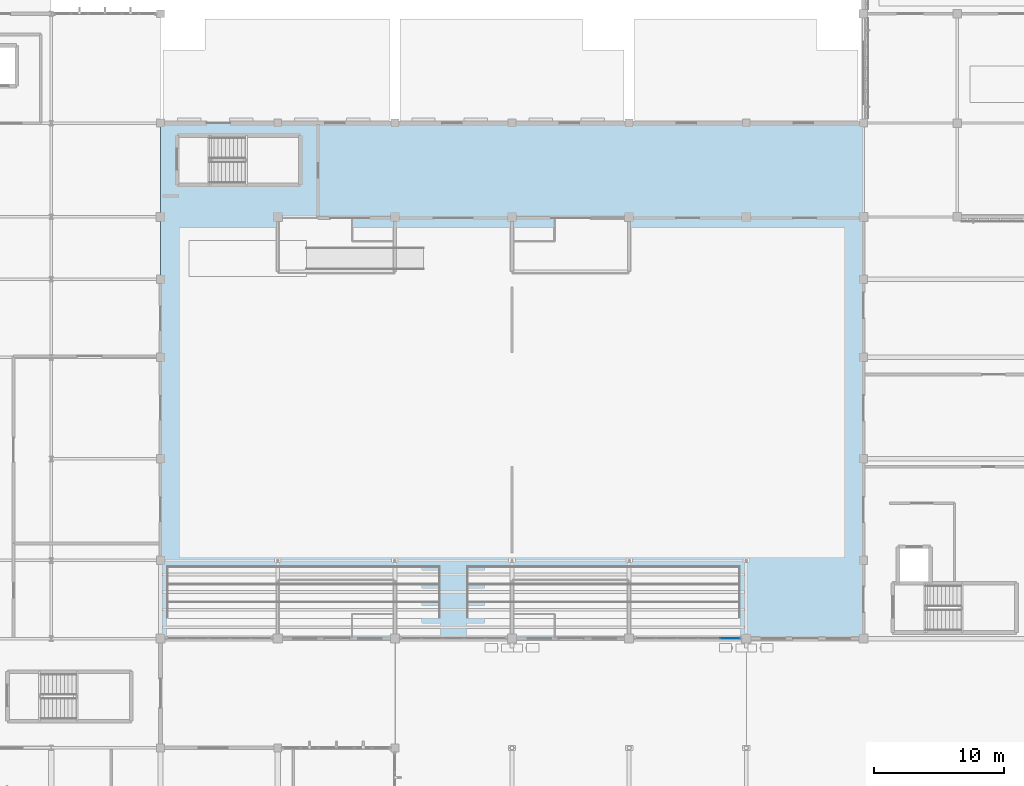
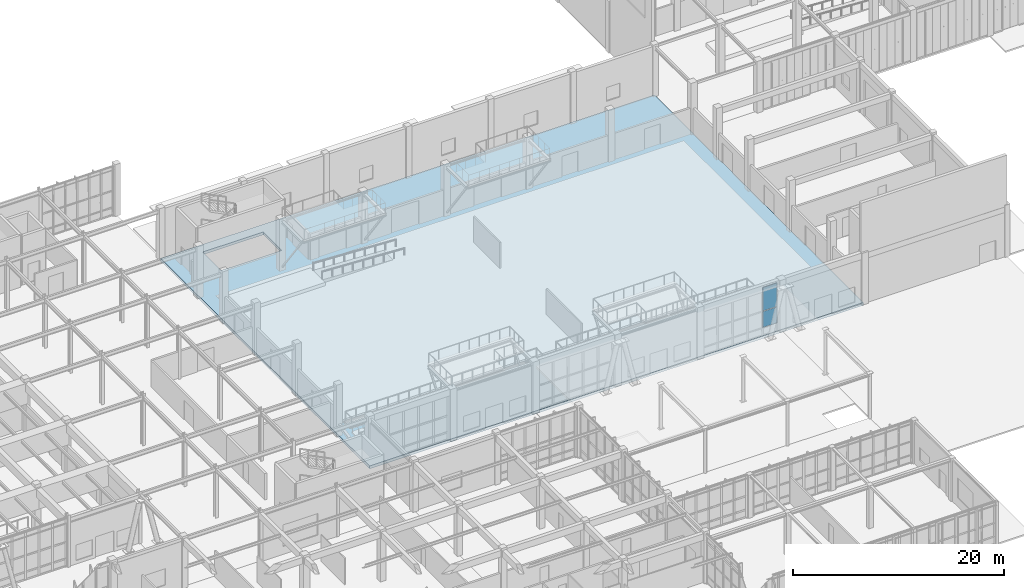
# One storey, part 65 of 110: 2 plates, 1 slab, 1 element without a shape of its own.
"""IFC4 building model written with IfcOpenShell, lengths in metres."""

import ifcopenshell
import ifcopenshell.guid

model = None  # the IFC model being written
_history = None  # IfcOwnerHistory: only IFC2X3 demands one
_inside = {}  # id of a spatial element -> (the spatial element, [elements in it])
_under = {}  # id of a project, library or spatial element -> (it, [spatial elements below it])
_declared = {}  # id of a project -> (the project, [libraries it declares])
_typed = {}  # id of a type object -> (the type object, [elements of that type])
_made_of = {}  # id of a material, layer set ... -> (it, [elements and type objects made of it])


def new_model(schema):
    """Start an empty IFC model of exactly this schema.

    Asked for "IFC4X3", IfcOpenShell would pick the latest addendum, in which some entities
    have other attributes; the version numbers below select the first issue.
    IFC2X3 requires an IfcOwnerHistory on every rooted entity: one is made here for all.
    """
    global model, _history
    if schema == "IFC4X3":
        model = ifcopenshell.file(schema_version=(4, 3, 0, 0))
    else:
        model = ifcopenshell.file(schema=schema)
    _inside.clear()
    _under.clear()
    _declared.clear()
    _typed.clear()
    _made_of.clear()
    _history = None
    if model.schema == "IFC2X3":
        org = make("IfcOrganization", Name="unknown")
        user = make(
            "IfcPersonAndOrganization",
            ThePerson=make("IfcPerson", FamilyName="unknown"),
            TheOrganization=org,
        )
        app = make(
            "IfcApplication",
            ApplicationDeveloper=org,
            Version="unknown",
            ApplicationFullName="unknown",
            ApplicationIdentifier="unknown",
        )
        _history = make(
            "IfcOwnerHistory",
            OwningUser=user,
            OwningApplication=app,
            ChangeAction="ADDED",
            CreationDate=0,
        )
    return model


def make(cls, **values):
    """One entity of the class cls with the attributes given. An attribute that is None is left unset."""
    return model.create_entity(
        cls, **{name: value for name, value in values.items() if value is not None}
    )


def rooted(cls, **values):
    """An entity with a GlobalId (a new one), such as an element, a storey or a relation."""
    return make(cls, GlobalId=ifcopenshell.guid.new(), OwnerHistory=_history, **values)


def si_unit(unit_type, name, prefix=None):
    """IfcSIUnit, for example si_unit("LENGTHUNIT", "METRE", prefix="MILLI")."""
    return make("IfcSIUnit", UnitType=unit_type, Prefix=prefix, Name=name)


def assignment(units):
    """IfcUnitAssignment: the units of a project."""
    return None if units is None else make("IfcUnitAssignment", Units=units)


def point(xyz):
    """IfcCartesianPoint."""
    return None if xyz is None else make("IfcCartesianPoint", Coordinates=xyz)


def direction(xyz):
    """IfcDirection."""
    return None if xyz is None else make("IfcDirection", DirectionRatios=xyz)


def frame(location, z_axis=None, x_axis=None):
    """IfcAxis2Placement3D, a coordinate frame: its origin and axes. An axis left out is left unset."""
    return make(
        "IfcAxis2Placement3D",
        Location=point(location),
        Axis=direction(z_axis),
        RefDirection=direction(x_axis),
    )


def frame_2d(location, x_axis=None):
    """IfcAxis2Placement2D, a coordinate frame in the plane: its origin and x axis."""
    return make(
        "IfcAxis2Placement2D", Location=point(location), RefDirection=direction(x_axis)
    )


def origin():
    """The frame at (0, 0, 0) with its axes left unset."""
    return frame((0.0, 0.0, 0.0))


def origin_2d():
    """The frame at (0, 0) in the plane with its x axis left unset."""
    return frame_2d((0.0, 0.0))


def place(relative_to, where):
    """IfcLocalPlacement: puts the frame where relative to a parent placement (None: the world)."""
    return make(
        "IfcLocalPlacement", PlacementRelTo=relative_to, RelativePlacement=where
    )


def context(
    kind, dimensions, precision=None, world=None, true_north=None, identifier=None
):
    """IfcGeometricRepresentationContext, for example the 3D "Model" context."""
    return make(
        "IfcGeometricRepresentationContext",
        ContextIdentifier=identifier,
        ContextType=kind,
        CoordinateSpaceDimension=dimensions,
        Precision=precision,
        WorldCoordinateSystem=world,
        TrueNorth=true_north,
    )


def subcontext(parent, identifier, kind, view, scale=None):
    """IfcGeometricRepresentationSubContext, for example "Body" below "Model"."""
    return make(
        "IfcGeometricRepresentationSubContext",
        ContextIdentifier=identifier,
        ContextType=kind,
        ParentContext=parent,
        TargetScale=scale,
        TargetView=view,
    )


def project(units=None, contexts=None):
    """IfcProject with its units and contexts."""
    return rooted(
        "IfcProject",
        Name="project",
        RepresentationContexts=contexts,
        UnitsInContext=assignment(units),
    )


def spatial(cls, under=None, at=None, **own):
    """A site, building, storey or space (cls), placed at a placement, below another one or the project."""
    s = rooted(cls, ObjectPlacement=at, **own)
    if under is not None:
        _under.setdefault(under.id(), (under, []))[1].append(s)
    return s


def polyline(points):
    """IfcPolyline through the points."""
    return make("IfcPolyline", Points=[point(p) for p in points])


def profile(cls, at=None, kind="AREA", **sizes):
    """A parametric profile (cls). Its sizes go by their IFC names, for example OverallWidth=200.0."""
    return make(cls, ProfileType=kind, Position=at, **sizes)


def rectangle(**sizes):
    """IfcRectangleProfileDef."""
    return profile("IfcRectangleProfileDef", **sizes)


def outline(outer, holes=None, kind="AREA"):
    """IfcArbitraryClosedProfileDef: a profile drawn as a closed curve; with holes, ...WithVoids."""
    if holes is None:
        return make("IfcArbitraryClosedProfileDef", ProfileType=kind, OuterCurve=outer)
    return make(
        "IfcArbitraryProfileDefWithVoids",
        ProfileType=kind,
        OuterCurve=outer,
        InnerCurves=holes,
    )


def extrude(swept, where, along, depth):
    """IfcExtrudedAreaSolid: the profile swept, set in the frame where, extruded along a direction by depth."""
    return make(
        "IfcExtrudedAreaSolid",
        SweptArea=swept,
        Position=where,
        ExtrudedDirection=direction(along),
        Depth=depth,
    )


def shape(context_of_items, identifier, shape_type, items):
    """IfcShapeRepresentation: the items that make up one representation, for example the "Body"."""
    return make(
        "IfcShapeRepresentation",
        ContextOfItems=context_of_items,
        RepresentationIdentifier=identifier,
        RepresentationType=shape_type,
        Items=items,
    )


def material(Name=None, Category=None):
    """IfcMaterial."""
    return make("IfcMaterial", Name=Name, Category=Category)


def layer(
    of_material, thickness, ventilated=None, Name=None, Category=None, Priority=None
):
    """IfcMaterialLayer: one layer of a wall or slab, of a material (None: an air gap)."""
    return make(
        "IfcMaterialLayer",
        Material=of_material,
        LayerThickness=thickness,
        IsVentilated=ventilated,
        Name=Name,
        Category=Category,
        Priority=Priority,
    )


def layer_set(layers, Name=None):
    """IfcMaterialLayerSet."""
    return make("IfcMaterialLayerSet", MaterialLayers=layers, LayerSetName=Name)


def made_of(thing, what):
    """Note that an element or type object is made of a material, layer set ...; save() writes the relation."""
    if what is not None:
        _made_of.setdefault(what.id(), (what, []))[1].append(thing)
    return thing


def type_object(cls, material=None, **own):
    """A type object (cls), such as IfcWallType, which elements share."""
    return made_of(rooted(cls, **own), material)


def element(
    cls,
    number,
    at=None,
    inside=None,
    cuts=None,
    type_object=None,
    material=None,
    context=None,
    identifier="Body",
    shape_type=None,
    held_by="IfcProductDefinitionShape",
    body=None,
    shapes=None,
    **own,
):
    """One element of the class cls, such as IfcWall. Its Tag is "e" and its number.

    at: its placement. inside: the storey or other place that contains it. cuts: it is an
    opening in that element (IfcRelVoidsElement). A single representation is given by context,
    identifier, shape_type and body (its items); several are given by shapes. held_by: the class
    of the entity that holds the representations. save() writes the other relations.
    """
    e = rooted(cls, Tag="e%d" % number, ObjectPlacement=at, **own)
    if body is not None:
        shapes = [shape(context, identifier, shape_type, body)]
    if shapes is not None:
        e.Representation = make(held_by, Representations=shapes)
    if inside is not None:
        _inside.setdefault(inside.id(), (inside, []))[1].append(e)
    if cuts is not None:
        rooted(
            "IfcRelVoidsElement", RelatingBuildingElement=cuts, RelatedOpeningElement=e
        )
    if type_object is not None:
        _typed.setdefault(type_object.id(), (type_object, []))[1].append(e)
    return made_of(e, material)


def aggregate(whole, parts):
    """IfcRelAggregates: a whole, such as a stair, and the parts it consists of."""
    return rooted("IfcRelAggregates", RelatingObject=whole, RelatedObjects=parts)


def save(model, path):
    """Write the relations noted so far, then the file.

    IfcRelAggregates (storeys below a building ...), IfcRelContainedInSpatialStructure (elements
    in a storey), IfcRelDefinesByType, IfcRelAssociatesMaterial and IfcRelDeclares: one each for
    every whole, place, type object, material and project.
    """
    for whole, parts in _under.values():
        aggregate(whole, parts)
    for where, things in _inside.values():
        rooted(
            "IfcRelContainedInSpatialStructure",
            RelatedElements=things,
            RelatingStructure=where,
        )
    for kind, things in _typed.values():
        rooted("IfcRelDefinesByType", RelatedObjects=things, RelatingType=kind)
    for what, things in _made_of.values():
        rooted("IfcRelAssociatesMaterial", RelatedObjects=things, RelatingMaterial=what)
    for by, libraries in _declared.values():
        rooted("IfcRelDeclares", RelatingContext=by, RelatedDefinitions=libraries)
    model.write(path)


model = new_model("IFC4")

# Units and contexts
model_context = context("Model", 3, precision=1e-05, world=origin(), true_north=direction((0.0, 1.0)))
body_context = subcontext(model_context, "Body", "Model", "MODEL_VIEW")
ifc_project = project(units=[si_unit("LENGTHUNIT", "METRE"), si_unit("AREAUNIT", "SQUARE_METRE"), si_unit("VOLUMEUNIT", "CUBIC_METRE"), si_unit("PLANEANGLEUNIT", "RADIAN"), si_unit("MASSUNIT", "GRAM", prefix="KILO")], contexts=[model_context])

# Site, building, storey
site_placement = place(None, origin())
site = spatial("IfcSite", under=ifc_project, at=site_placement, CompositionType="ELEMENT")
building_placement = place(site_placement, origin())
building = spatial("IfcBuilding", under=site, at=building_placement, Name="Tizgana Railside Sports Hall", CompositionType="ELEMENT")
storey_placement = place(building_placement, origin())
storey = spatial("IfcBuildingStorey", under=building, at=storey_placement, Name="L00", CompositionType="ELEMENT", Elevation=0.0)

# Curtain wall, plates
ifc_material_1 = material(Name="Anodised aluminium and glass", Category="aluminium")
curtain_wall_type = type_object("IfcCurtainWallType", Name="Unitised Curtain Wall Foyer 1300", PredefinedType="NOTDEFINED", material=ifc_material_1)
curtain_wall_placement = place(storey_placement, origin())
curtain_wall = element("IfcCurtainWall", 1, at=curtain_wall_placement, inside=storey, type_object=curtain_wall_type, Name="L00 Curtain Wall CW-0025", PredefinedType="NOTDEFINED")
ifc_material_2 = material(Name="Double low-E laminated glass", Category="glass")
ifc_layer_1 = layer(ifc_material_2, 0.033935546875, Name="Double low-E laminated glass")
ifc_layer_set_1 = layer_set([ifc_layer_1], Name="Double low-E laminated glass")
plate_type = type_object("IfcPlateType", Name="Acoustic Laminated Glazing Panel 34", PredefinedType="CURTAIN_PANEL", material=ifc_layer_set_1)
plate_1_placement = place(storey_placement, frame((123.56103515625, 40.800048828125, 0.97509765625), z_axis=(0.0, 0.0, 1.0), x_axis=(-1.0, 0.0, 0.0)))
plate_1 = element("IfcPlate", 2, at=plate_1_placement, type_object=plate_type, Name="CW-02 panel 1.2", PredefinedType="CURTAIN_PANEL", context=body_context, shape_type="SweptSolid", body=[
    extrude(rectangle(XDim=1.548095703125, YDim=0.033935546875, at=origin_2d()), origin(), (0.0, 0.0, 1.0), 1.842529296875),
])
plate_2_placement = place(storey_placement, frame((123.56103515625, 40.800048828125, 2.87744140625), z_axis=(0.0, 0.0, 1.0), x_axis=(-1.0, 0.0, 0.0)))
plate_2 = element("IfcPlate", 3, at=plate_2_placement, type_object=plate_type, Name="CW-02 panel 1.3", PredefinedType="CURTAIN_PANEL", context=body_context, shape_type="SweptSolid", body=[
    extrude(rectangle(XDim=1.548095703125, YDim=0.033935546875, at=origin_2d()), origin(), (0.0, 0.0, 1.0), 2.71240234375),
])
aggregate(curtain_wall, [plate_1, plate_2])

# Slab
ifc_material_3 = material(Name="Concrete C35/45", Category="concrete")
ifc_layer_2 = layer(ifc_material_3, 0.320068359375, Name="Concrete C35/45")
ifc_layer_set_2 = layer_set([ifc_layer_2], Name="Concrete C35/45")
slab_type = type_object("IfcSlabType", Name="Ground Bearing Court Slab 320", PredefinedType="BASESLAB", material=ifc_layer_set_2)
slab_placement = place(storey_placement, frame((0.0, 0.0, -0.320068359375)))
element("IfcSlab", 4, at=slab_placement, inside=storey, type_object=slab_type, Name="L00 V2 Court 2 Slab SLB-0007", PredefinedType="BASESLAB", context=body_context, shape_type="SweptSolid", body=[
    extrude(outline(polyline([(79.800048828125, 40.800048828125), (133.800048828125, 40.800048828125), (133.800048828125, 80.39990234375), (79.800048828125, 80.39990234375), (79.800048828125, 40.800048828125)]), holes=[polyline([(83.780029296875, 75.800048828125), (90.39990234375, 75.800048828125), (90.39990234375, 79.300048828125), (83.780029296875, 79.300048828125), (83.780029296875, 75.800048828125)])]), origin(), (0.0, 0.0, 1.0), 0.320068359375),
])

save(model, "model.ifc")
